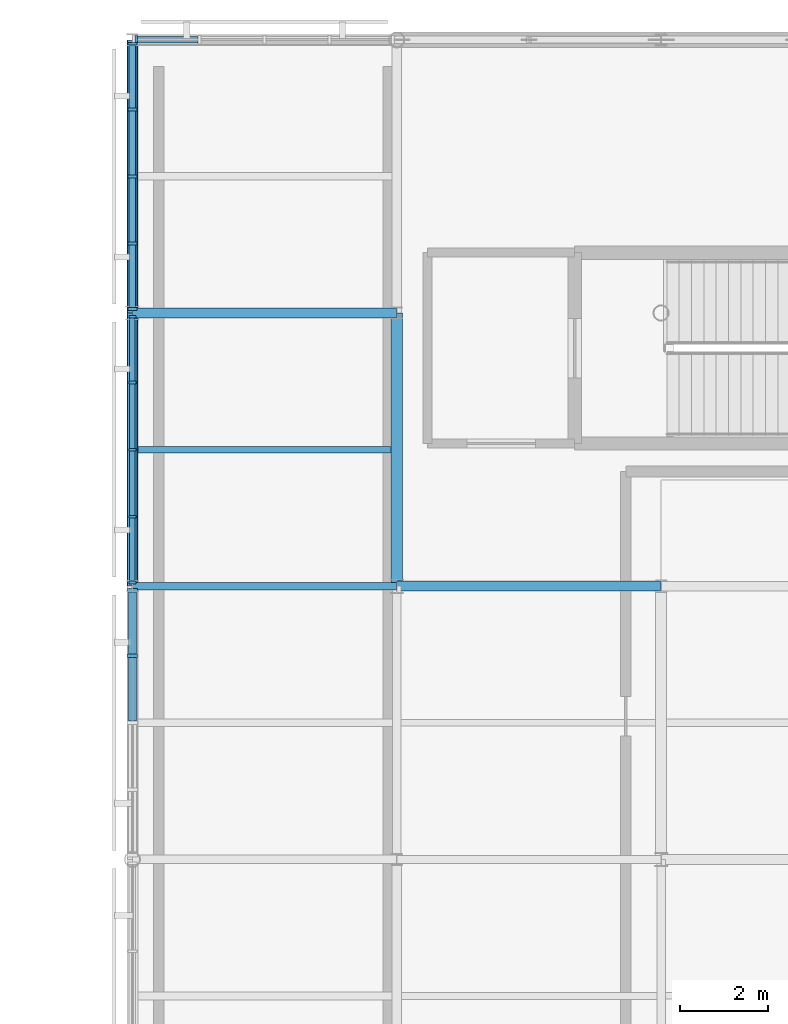
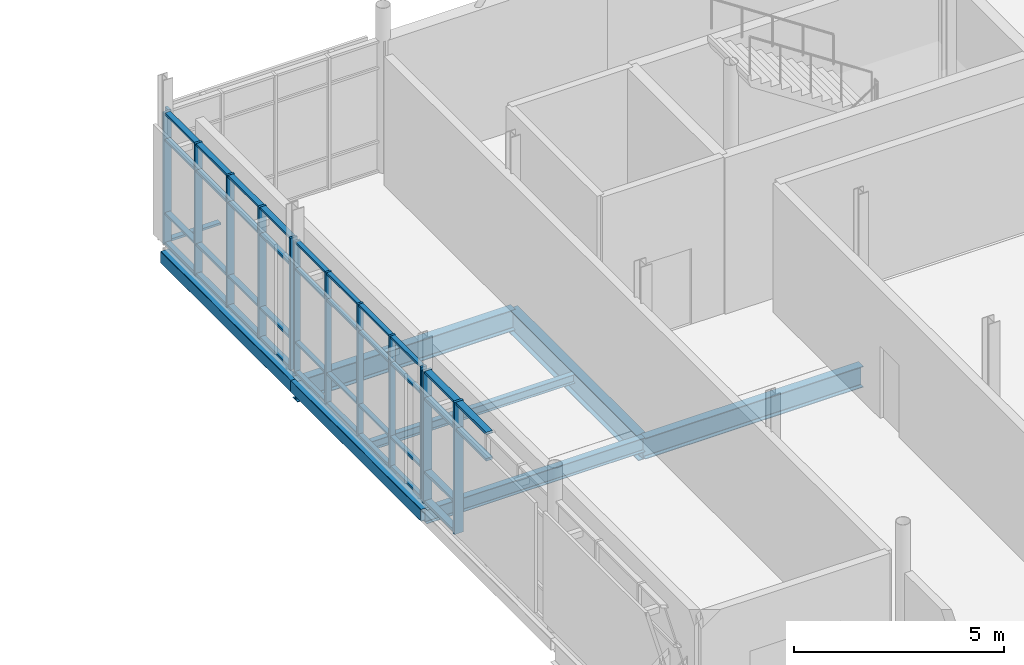
# One storey, part 32 of 66: 52 members, 7 beams, 4 elements without a shape of their own.
"""IFC4 building model written with IfcOpenShell, lengths in metres."""

from ifc_helpers import new_model, si_unit, direction, frame, origin, origin_2d, place, context, subcontext, project, spatial, rectangle, hollow_rectangle, i_section, extrude, material, layer, layer_set, material_profile, profile_set, type_object, element, aggregate, save


model = new_model("IFC4")

# Units and contexts
model_context = context("Model", 3, precision=1e-05, world=origin(), true_north=direction((0.0, 1.0)))
body_context = subcontext(model_context, "Body", "Model", "MODEL_VIEW")
ifc_project = project(units=[si_unit("LENGTHUNIT", "METRE"), si_unit("AREAUNIT", "SQUARE_METRE"), si_unit("VOLUMEUNIT", "CUBIC_METRE"), si_unit("PLANEANGLEUNIT", "RADIAN"), si_unit("MASSUNIT", "GRAM", prefix="KILO")], contexts=[model_context])

# Site, building, storey
site_placement = place(None, origin())
site = spatial("IfcSite", under=ifc_project, at=site_placement, CompositionType="ELEMENT")
building_placement = place(site_placement, origin())
building = spatial("IfcBuilding", under=site, at=building_placement, Name="Mirzam Square Science Centre", CompositionType="ELEMENT")
storey_placement = place(building_placement, frame((0.0, 0.0, 15.60009765625)))
storey = spatial("IfcBuildingStorey", under=building, at=storey_placement, Name="L03", CompositionType="ELEMENT", Elevation=15.60009765625)

# Beams
ifc_material_1 = material(Name="Steel S355", Category="steel")
ifc_material_profile_1 = material_profile(ifc_material_1, i_section(OverallWidth=0.1787109375, OverallDepth=0.409423828125, WebThickness=0.0087890625, FlangeThickness=0.014404296875, FilletRadius=0.01025390625, at=origin_2d()), Name="406x178x67UB")
ifc_profile_set_1 = profile_set([ifc_material_profile_1], Name="Steel S355")
beam_type_1 = type_object("IfcBeamType", Name="BM-UB406", PredefinedType="BEAM", material=ifc_profile_set_1)
beam_1_placement = place(storey_placement, frame((114.0, 99.199951171875, -0.454833984375), z_axis=(1.0, 0.0, 0.0), x_axis=(0.0, 1.0, 0.0)))
element("IfcBeam", 1, at=beam_1_placement, inside=storey, type_object=beam_type_1, Name="L03 girder X20-17", PredefinedType="BEAM", context=body_context, shape_type="SweptSolid", body=[
    extrude(i_section(OverallWidth=0.1787109375, OverallDepth=0.409423828125, WebThickness=0.0087890625, FlangeThickness=0.014404296875, FilletRadius=0.01025390625, at=origin_2d()), origin(), (0.0, 0.0, 1.0), 6.0),
])
ifc_material_profile_2 = material_profile(ifc_material_1, i_section(OverallWidth=0.22900390625, OverallDepth=0.6123046875, WebThickness=0.011962890625, FlangeThickness=0.01953125, FilletRadius=0.0126953125, at=origin_2d()), Name="610x229x125UB")
ifc_profile_set_2 = profile_set([ifc_material_profile_2], Name="Steel S355")
beam_type_2 = type_object("IfcBeamType", Name="BM-UB610", PredefinedType="BEAM", material=ifc_profile_set_2)
for number, where, z_axis, x_axis, name in (
    (2, (120.0, 99.199951171875, -0.55615234375), (1.0, 0.0, 0.0), (0.0, 1.0, 0.0), "L03 girder X21-17"),
    (3, (114.0, 105.39990234375, -0.55615234375), (1.0, 0.0, 0.0), (0.0, 1.0, 0.0), "L03 girder X20-18"),
):
    element("IfcBeam", number, at=place(storey_placement, frame(where, z_axis=z_axis, x_axis=x_axis)), inside=storey, type_object=beam_type_2, Name=name, PredefinedType="BEAM", context=body_context, shape_type="SweptSolid", body=[
        extrude(i_section(OverallWidth=0.22900390625, OverallDepth=0.6123046875, WebThickness=0.011962890625, FlangeThickness=0.01953125, FilletRadius=0.0126953125, at=origin_2d()), origin(), (0.0, 0.0, 1.0), 6.0),
    ])
ifc_material_profile_3 = material_profile(ifc_material_1, i_section(OverallWidth=0.25439453125, OverallDepth=0.6875, WebThickness=0.01318359375, FlangeThickness=0.02099609375, FilletRadius=0.01513671875, at=origin_2d()), Name="686x254x152UB")
ifc_profile_set_3 = profile_set([ifc_material_profile_3], Name="Steel S355")
beam_type_3 = type_object("IfcBeamType", Name="BM-UB686", PredefinedType="BEAM", material=ifc_profile_set_3)
beam_2_placement = place(storey_placement, frame((120.0, 99.199951171875, -0.593994140625), z_axis=(0.0, 1.0, 0.0), x_axis=(-1.0, 0.0, 0.0)))
element("IfcBeam", 4, at=beam_2_placement, inside=storey, type_object=beam_type_3, Name="L03 girder Y21-17", PredefinedType="BEAM", context=body_context, shape_type="SweptSolid", body=[
    extrude(i_section(OverallWidth=0.25439453125, OverallDepth=0.6875, WebThickness=0.01318359375, FlangeThickness=0.02099609375, FilletRadius=0.01513671875, at=origin_2d()), origin(), (0.0, 0.0, 1.0), 6.199951171875),
])

# Curtain wall, members
ifc_material_2 = material(Name="Anodised Aluminium and Low-E Solar Glass", Category="aluminium")
ifc_layer_1 = layer(ifc_material_2, 0.159912109375)
ifc_layer_set_1 = layer_set([ifc_layer_1], Name="CW-COURT-B")
curtain_wall_type_1 = type_object("IfcCurtainWallType", Name="CW-COURT-B", PredefinedType="USERDEFINED", material=ifc_layer_set_1)
curtain_wall_1_placement = place(storey_placement, origin())
curtain_wall_1 = element("IfcCurtainWall", 5, at=curtain_wall_1_placement, inside=storey, type_object=curtain_wall_type_1, Name="L03 unitised curtain wall 142", ObjectType="UNITISED CURTAIN WALL", PredefinedType="USERDEFINED")
ifc_material_3 = material(Name="Anodised Architectural Aluminium 6063-T6", Category="aluminium")
ifc_material_profile_4 = material_profile(ifc_material_3, rectangle(XDim=0.06005859375, YDim=0.159912109375, at=origin_2d()), Name="ALU-MULL-160x60x4")
ifc_profile_set_4 = profile_set([ifc_material_profile_4], Name="Anodised Architectural Aluminium 6063-T6")
member_type_1 = type_object("IfcMemberType", Name="CWM-160", PredefinedType="MULLION", material=ifc_profile_set_4)
member_1_placement = place(storey_placement, frame((114.0, 105.31494140625, 0.0), z_axis=(0.0, 0.0, 1.0), x_axis=(0.0, -1.0, 0.0)))
member_1 = element("IfcMember", 6, at=member_1_placement, type_object=member_type_1, Name="CW-04 mullion 1", PredefinedType="MULLION", context=body_context, shape_type="SweptSolid", body=[
    extrude(rectangle(XDim=0.06005859375, YDim=0.159912109375, at=origin_2d()), origin(), (0.0, 0.0, 1.0), 3.83984375),
])
member_2_placement = place(storey_placement, frame((114.0, 103.822509765625, 0.0), z_axis=(0.0, 0.0, 1.0), x_axis=(0.0, -1.0, 0.0)))
member_2 = element("IfcMember", 7, at=member_2_placement, type_object=member_type_1, Name="CW-04 mullion 2", PredefinedType="MULLION", context=body_context, shape_type="SweptSolid", body=[
    extrude(rectangle(XDim=0.06005859375, YDim=0.159912109375, at=origin_2d()), origin(), (0.0, 0.0, 1.0), 3.83984375),
])
member_3_placement = place(storey_placement, frame((114.0, 102.300048828125, 0.0), z_axis=(0.0, 0.0, 1.0), x_axis=(0.0, -1.0, 0.0)))
member_3 = element("IfcMember", 8, at=member_3_placement, type_object=member_type_1, Name="CW-04 mullion 3", PredefinedType="MULLION", context=body_context, shape_type="SweptSolid", body=[
    extrude(rectangle(XDim=0.06005859375, YDim=0.159912109375, at=origin_2d()), origin(), (0.0, 0.0, 1.0), 3.83984375),
])
member_4_placement = place(storey_placement, frame((114.0, 100.777587890625, 0.0), z_axis=(0.0, 0.0, 1.0), x_axis=(0.0, -1.0, 0.0)))
member_4 = element("IfcMember", 9, at=member_4_placement, type_object=member_type_1, Name="CW-04 mullion 4", PredefinedType="MULLION", context=body_context, shape_type="SweptSolid", body=[
    extrude(rectangle(XDim=0.06005859375, YDim=0.159912109375, at=origin_2d()), origin(), (0.0, 0.0, 1.0), 3.83984375),
])
member_5_placement = place(storey_placement, frame((114.0, 99.284912109375, 0.0), z_axis=(0.0, 0.0, 1.0), x_axis=(0.0, -1.0, 0.0)))
member_5 = element("IfcMember", 10, at=member_5_placement, type_object=member_type_1, Name="CW-04 mullion 5", PredefinedType="MULLION", context=body_context, shape_type="SweptSolid", body=[
    extrude(rectangle(XDim=0.06005859375, YDim=0.159912109375, at=origin_2d()), origin(), (0.0, 0.0, 1.0), 3.83984375),
])

# Curtain wall, member
curtain_wall_2_placement = place(storey_placement, origin())
curtain_wall_2 = element("IfcCurtainWall", 11, at=curtain_wall_2_placement, inside=storey, type_object=curtain_wall_type_1, Name="L03 unitised curtain wall 136", ObjectType="UNITISED CURTAIN WALL", PredefinedType="USERDEFINED")
ifc_material_profile_5 = material_profile(ifc_material_3, rectangle(XDim=0.06494140625, YDim=0.199951171875, at=origin_2d()), Name="ALU-MULL-200x65x5")
ifc_profile_set_5 = profile_set([ifc_material_profile_5], Name="Anodised Architectural Aluminium 6063-T6")
member_type_2 = type_object("IfcMemberType", Name="CWM-200", PredefinedType="MULLION", material=ifc_profile_set_5)
member_6_placement = place(storey_placement, frame((114.08740234375, 111.60009765625, 0.0), z_axis=(0.0, 0.0, 1.0), x_axis=(-1.0, 0.0, 0.0)))
member_6 = element("IfcMember", 12, at=member_6_placement, type_object=member_type_2, Name="CW-04 mullion 5", PredefinedType="MULLION", context=body_context, shape_type="SweptSolid", body=[
    extrude(rectangle(XDim=0.06494140625, YDim=0.199951171875, at=origin_2d()), origin(), (0.0, 0.0, 1.0), 3.83984375),
])

# Curtain wall, members
ifc_layer_2 = layer(ifc_material_2, 0.199951171875)
ifc_layer_set_2 = layer_set([ifc_layer_2], Name="CW-EAST-A")
curtain_wall_type_2 = type_object("IfcCurtainWallType", Name="CW-EAST-A", PredefinedType="USERDEFINED", material=ifc_layer_set_2)
curtain_wall_3_placement = place(storey_placement, origin())
curtain_wall_3 = element("IfcCurtainWall", 13, at=curtain_wall_3_placement, inside=storey, type_object=curtain_wall_type_2, Name="L03 unitised curtain wall 144", ObjectType="UNITISED CURTAIN WALL", PredefinedType="USERDEFINED")
member_7_placement = place(storey_placement, frame((114.0, 111.512451171875, 0.0), z_axis=(0.0, 0.0, 1.0), x_axis=(0.0, -1.0, 0.0)))
member_7 = element("IfcMember", 14, at=member_7_placement, type_object=member_type_2, Name="CW-05 mullion 1", PredefinedType="MULLION", context=body_context, shape_type="SweptSolid", body=[
    extrude(rectangle(XDim=0.06494140625, YDim=0.199951171875, at=origin_2d()), origin(), (0.0, 0.0, 1.0), 3.83984375),
])
member_8_placement = place(storey_placement, frame((114.0, 110.0224609375, 0.0), z_axis=(0.0, 0.0, 1.0), x_axis=(0.0, -1.0, 0.0)))
member_8 = element("IfcMember", 15, at=member_8_placement, type_object=member_type_2, Name="CW-05 mullion 2", PredefinedType="MULLION", context=body_context, shape_type="SweptSolid", body=[
    extrude(rectangle(XDim=0.06494140625, YDim=0.199951171875, at=origin_2d()), origin(), (0.0, 0.0, 1.0), 3.83984375),
])
member_9_placement = place(storey_placement, frame((114.0, 108.5, 0.0), z_axis=(0.0, 0.0, 1.0), x_axis=(0.0, -1.0, 0.0)))
member_9 = element("IfcMember", 16, at=member_9_placement, type_object=member_type_2, Name="CW-05 mullion 3", PredefinedType="MULLION", context=body_context, shape_type="SweptSolid", body=[
    extrude(rectangle(XDim=0.06494140625, YDim=0.199951171875, at=origin_2d()), origin(), (0.0, 0.0, 1.0), 3.83984375),
])
member_10_placement = place(storey_placement, frame((114.0, 106.9775390625, 0.0), z_axis=(0.0, 0.0, 1.0), x_axis=(0.0, -1.0, 0.0)))
member_10 = element("IfcMember", 17, at=member_10_placement, type_object=member_type_2, Name="CW-05 mullion 4", PredefinedType="MULLION", context=body_context, shape_type="SweptSolid", body=[
    extrude(rectangle(XDim=0.06494140625, YDim=0.199951171875, at=origin_2d()), origin(), (0.0, 0.0, 1.0), 3.83984375),
])
member_11_placement = place(storey_placement, frame((114.0, 105.487548828125, 0.0), z_axis=(0.0, 0.0, 1.0), x_axis=(0.0, -1.0, 0.0)))
member_11 = element("IfcMember", 18, at=member_11_placement, type_object=member_type_2, Name="CW-05 mullion 5", PredefinedType="MULLION", context=body_context, shape_type="SweptSolid", body=[
    extrude(rectangle(XDim=0.06494140625, YDim=0.199951171875, at=origin_2d()), origin(), (0.0, 0.0, 1.0), 3.83984375),
])

ifc_layer_3 = layer(ifc_material_2, 0.159912109375)
ifc_layer_set_3 = layer_set([ifc_layer_3], Name="CW-COURT-A")
curtain_wall_type_3 = type_object("IfcCurtainWallType", Name="CW-COURT-A", PredefinedType="USERDEFINED", material=ifc_layer_set_3)
curtain_wall_4_placement = place(storey_placement, origin())
curtain_wall_4 = element("IfcCurtainWall", 19, at=curtain_wall_4_placement, inside=storey, type_object=curtain_wall_type_3, Name="L03 unitised curtain wall 140", ObjectType="UNITISED CURTAIN WALL", PredefinedType="USERDEFINED")
ifc_material_profile_6 = material_profile(ifc_material_3, rectangle(XDim=0.074951171875, YDim=0.239990234375, at=origin_2d()), Name="ALU-MULL-240x75x5")
ifc_profile_set_6 = profile_set([ifc_material_profile_6], Name="Anodised Architectural Aluminium 6063-T6")
member_type_3 = type_object("IfcMemberType", Name="CWM-240", PredefinedType="MULLION", material=ifc_profile_set_6)
member_12_placement = place(storey_placement, frame((114.0, 99.107421875, 0.0), z_axis=(0.0, 0.0, 1.0), x_axis=(0.0, -1.0, 0.0)))
member_12 = element("IfcMember", 20, at=member_12_placement, type_object=member_type_3, Name="CW-03 mullion 1", PredefinedType="MULLION", context=body_context, shape_type="SweptSolid", body=[
    extrude(rectangle(XDim=0.074951171875, YDim=0.239990234375, at=origin_2d()), origin(), (0.0, 0.0, 1.0), 3.83984375),
])
member_13_placement = place(storey_placement, frame((114.0, 97.62255859375, 0.0), z_axis=(0.0, 0.0, 1.0), x_axis=(0.0, -1.0, 0.0)))
member_13 = element("IfcMember", 21, at=member_13_placement, type_object=member_type_3, Name="CW-03 mullion 2", PredefinedType="MULLION", context=body_context, shape_type="SweptSolid", body=[
    extrude(rectangle(XDim=0.074951171875, YDim=0.239990234375, at=origin_2d()), origin(), (0.0, 0.0, 1.0), 3.83984375),
])

# Member
ifc_material_profile_7 = material_profile(ifc_material_3, rectangle(XDim=0.1201171875, YDim=0.06005859375, at=origin_2d()), Name="ALU-TRAN-120x60x4")
ifc_profile_set_7 = profile_set([ifc_material_profile_7], Name="Anodised Architectural Aluminium 6063-T6")
member_type_4 = type_object("IfcMemberType", Name="CWT-120", PredefinedType="USERDEFINED", material=ifc_profile_set_7)
member_14_placement = place(storey_placement, frame((114.0, 105.284912109375, 0.02978515625), z_axis=(0.0, -1.0, 0.0), x_axis=(1.0, 0.0, 0.0)))
member_14 = element("IfcMember", 22, at=member_14_placement, type_object=member_type_4, Name="CW-04 transom 1.1", ObjectType="TRANSOM", PredefinedType="USERDEFINED", context=body_context, shape_type="SweptSolid", body=[
    extrude(rectangle(XDim=0.1201171875, YDim=0.06005859375, at=origin_2d()), origin(), (0.0, 0.0, 1.0), 1.432373046875),
])

member_15_placement = place(storey_placement, frame((114.0, 105.284912109375, 0.89990234375), z_axis=(0.0, -1.0, 0.0), x_axis=(1.0, 0.0, 0.0)))
member_15 = element("IfcMember", 23, at=member_15_placement, type_object=member_type_4, Name="CW-04 transom 1.2", ObjectType="TRANSOM", PredefinedType="USERDEFINED", context=body_context, shape_type="SweptSolid", body=[
    extrude(rectangle(XDim=0.1201171875, YDim=0.06005859375, at=origin_2d()), origin(), (0.0, 0.0, 1.0), 1.432373046875),
])

member_16_placement = place(storey_placement, frame((114.0, 105.284912109375, 3.039794921875), z_axis=(0.0, -1.0, 0.0), x_axis=(1.0, 0.0, 0.0)))
member_16 = element("IfcMember", 24, at=member_16_placement, type_object=member_type_4, Name="CW-04 transom 1.3", ObjectType="TRANSOM", PredefinedType="USERDEFINED", context=body_context, shape_type="SweptSolid", body=[
    extrude(rectangle(XDim=0.1201171875, YDim=0.06005859375, at=origin_2d()), origin(), (0.0, 0.0, 1.0), 1.432373046875),
])

member_17_placement = place(storey_placement, frame((114.0, 105.284912109375, 3.809814453125), z_axis=(0.0, -1.0, 0.0), x_axis=(1.0, 0.0, 0.0)))
member_17 = element("IfcMember", 25, at=member_17_placement, type_object=member_type_4, Name="CW-04 transom 1.4", ObjectType="TRANSOM", PredefinedType="USERDEFINED", context=body_context, shape_type="SweptSolid", body=[
    extrude(rectangle(XDim=0.1201171875, YDim=0.06005859375, at=origin_2d()), origin(), (0.0, 0.0, 1.0), 1.432373046875),
])

member_18_placement = place(storey_placement, frame((114.0, 103.79248046875, 0.02978515625), z_axis=(0.0, -1.0, 0.0), x_axis=(1.0, 0.0, 0.0)))
member_18 = element("IfcMember", 26, at=member_18_placement, type_object=member_type_4, Name="CW-04 transom 2.1", ObjectType="TRANSOM", PredefinedType="USERDEFINED", context=body_context, shape_type="SweptSolid", body=[
    extrude(rectangle(XDim=0.1201171875, YDim=0.06005859375, at=origin_2d()), origin(), (0.0, 0.0, 1.0), 1.46240234375),
])

member_19_placement = place(storey_placement, frame((114.0, 103.79248046875, 0.89990234375), z_axis=(0.0, -1.0, 0.0), x_axis=(1.0, 0.0, 0.0)))
member_19 = element("IfcMember", 27, at=member_19_placement, type_object=member_type_4, Name="CW-04 transom 2.2", ObjectType="TRANSOM", PredefinedType="USERDEFINED", context=body_context, shape_type="SweptSolid", body=[
    extrude(rectangle(XDim=0.1201171875, YDim=0.06005859375, at=origin_2d()), origin(), (0.0, 0.0, 1.0), 1.46240234375),
])

member_20_placement = place(storey_placement, frame((114.0, 103.79248046875, 3.039794921875), z_axis=(0.0, -1.0, 0.0), x_axis=(1.0, 0.0, 0.0)))
member_20 = element("IfcMember", 28, at=member_20_placement, type_object=member_type_4, Name="CW-04 transom 2.3", ObjectType="TRANSOM", PredefinedType="USERDEFINED", context=body_context, shape_type="SweptSolid", body=[
    extrude(rectangle(XDim=0.1201171875, YDim=0.06005859375, at=origin_2d()), origin(), (0.0, 0.0, 1.0), 1.46240234375),
])

member_21_placement = place(storey_placement, frame((114.0, 103.79248046875, 3.809814453125), z_axis=(0.0, -1.0, 0.0), x_axis=(1.0, 0.0, 0.0)))
member_21 = element("IfcMember", 29, at=member_21_placement, type_object=member_type_4, Name="CW-04 transom 2.4", ObjectType="TRANSOM", PredefinedType="USERDEFINED", context=body_context, shape_type="SweptSolid", body=[
    extrude(rectangle(XDim=0.1201171875, YDim=0.06005859375, at=origin_2d()), origin(), (0.0, 0.0, 1.0), 1.46240234375),
])

member_22_placement = place(storey_placement, frame((114.0, 102.27001953125, 0.02978515625), z_axis=(0.0, -1.0, 0.0), x_axis=(1.0, 0.0, 0.0)))
member_22 = element("IfcMember", 30, at=member_22_placement, type_object=member_type_4, Name="CW-04 transom 3.1", ObjectType="TRANSOM", PredefinedType="USERDEFINED", context=body_context, shape_type="SweptSolid", body=[
    extrude(rectangle(XDim=0.1201171875, YDim=0.06005859375, at=origin_2d()), origin(), (0.0, 0.0, 1.0), 1.46240234375),
])

member_23_placement = place(storey_placement, frame((114.0, 102.27001953125, 0.89990234375), z_axis=(0.0, -1.0, 0.0), x_axis=(1.0, 0.0, 0.0)))
member_23 = element("IfcMember", 31, at=member_23_placement, type_object=member_type_4, Name="CW-04 transom 3.2", ObjectType="TRANSOM", PredefinedType="USERDEFINED", context=body_context, shape_type="SweptSolid", body=[
    extrude(rectangle(XDim=0.1201171875, YDim=0.06005859375, at=origin_2d()), origin(), (0.0, 0.0, 1.0), 1.46240234375),
])

member_24_placement = place(storey_placement, frame((114.0, 102.27001953125, 3.039794921875), z_axis=(0.0, -1.0, 0.0), x_axis=(1.0, 0.0, 0.0)))
member_24 = element("IfcMember", 32, at=member_24_placement, type_object=member_type_4, Name="CW-04 transom 3.3", ObjectType="TRANSOM", PredefinedType="USERDEFINED", context=body_context, shape_type="SweptSolid", body=[
    extrude(rectangle(XDim=0.1201171875, YDim=0.06005859375, at=origin_2d()), origin(), (0.0, 0.0, 1.0), 1.46240234375),
])

member_25_placement = place(storey_placement, frame((114.0, 102.27001953125, 3.809814453125), z_axis=(0.0, -1.0, 0.0), x_axis=(1.0, 0.0, 0.0)))
member_25 = element("IfcMember", 33, at=member_25_placement, type_object=member_type_4, Name="CW-04 transom 3.4", ObjectType="TRANSOM", PredefinedType="USERDEFINED", context=body_context, shape_type="SweptSolid", body=[
    extrude(rectangle(XDim=0.1201171875, YDim=0.06005859375, at=origin_2d()), origin(), (0.0, 0.0, 1.0), 1.46240234375),
])

member_26_placement = place(storey_placement, frame((114.0, 100.74755859375, 0.02978515625), z_axis=(0.0, -1.0, 0.0), x_axis=(1.0, 0.0, 0.0)))
member_26 = element("IfcMember", 34, at=member_26_placement, type_object=member_type_4, Name="CW-04 transom 4.1", ObjectType="TRANSOM", PredefinedType="USERDEFINED", context=body_context, shape_type="SweptSolid", body=[
    extrude(rectangle(XDim=0.1201171875, YDim=0.06005859375, at=origin_2d()), origin(), (0.0, 0.0, 1.0), 1.4326171875),
])

member_27_placement = place(storey_placement, frame((114.0, 100.74755859375, 0.89990234375), z_axis=(0.0, -1.0, 0.0), x_axis=(1.0, 0.0, 0.0)))
member_27 = element("IfcMember", 35, at=member_27_placement, type_object=member_type_4, Name="CW-04 transom 4.2", ObjectType="TRANSOM", PredefinedType="USERDEFINED", context=body_context, shape_type="SweptSolid", body=[
    extrude(rectangle(XDim=0.1201171875, YDim=0.06005859375, at=origin_2d()), origin(), (0.0, 0.0, 1.0), 1.4326171875),
])

member_28_placement = place(storey_placement, frame((114.0, 100.74755859375, 3.039794921875), z_axis=(0.0, -1.0, 0.0), x_axis=(1.0, 0.0, 0.0)))
member_28 = element("IfcMember", 36, at=member_28_placement, type_object=member_type_4, Name="CW-04 transom 4.3", ObjectType="TRANSOM", PredefinedType="USERDEFINED", context=body_context, shape_type="SweptSolid", body=[
    extrude(rectangle(XDim=0.1201171875, YDim=0.06005859375, at=origin_2d()), origin(), (0.0, 0.0, 1.0), 1.4326171875),
])

member_29_placement = place(storey_placement, frame((114.0, 100.74755859375, 3.809814453125), z_axis=(0.0, -1.0, 0.0), x_axis=(1.0, 0.0, 0.0)))
member_29 = element("IfcMember", 37, at=member_29_placement, type_object=member_type_4, Name="CW-04 transom 4.4", ObjectType="TRANSOM", PredefinedType="USERDEFINED", context=body_context, shape_type="SweptSolid", body=[
    extrude(rectangle(XDim=0.1201171875, YDim=0.06005859375, at=origin_2d()), origin(), (0.0, 0.0, 1.0), 1.4326171875),
])

aggregate(curtain_wall_1, [member_1, member_2, member_3, member_4, member_5, member_14, member_15, member_16, member_17, member_18, member_19, member_20, member_21, member_22, member_23, member_24, member_25, member_26, member_27, member_28, member_29])

ifc_material_profile_8 = material_profile(ifc_material_3, rectangle(XDim=0.14990234375, YDim=0.06494140625, at=origin_2d()), Name="ALU-TRAN-150x65x4")
ifc_profile_set_8 = profile_set([ifc_material_profile_8], Name="Anodised Architectural Aluminium 6063-T6")
member_type_5 = type_object("IfcMemberType", Name="CWT-150", PredefinedType="USERDEFINED", material=ifc_profile_set_8)
member_30_placement = place(storey_placement, frame((115.4951171875, 111.60009765625, 0.032470703125), z_axis=(-1.0, 0.0, 0.0), x_axis=(0.0, -1.0, 0.0)))
member_30 = element("IfcMember", 38, at=member_30_placement, type_object=member_type_5, Name="CW-04 transom 4.1", ObjectType="TRANSOM", PredefinedType="USERDEFINED", context=body_context, shape_type="SweptSolid", body=[
    extrude(rectangle(XDim=0.14990234375, YDim=0.06494140625, at=origin_2d()), origin(), (0.0, 0.0, 1.0), 1.375),
])

aggregate(curtain_wall_2, [member_6, member_30])

member_31_placement = place(storey_placement, frame((114.0, 111.47998046875, 0.032470703125), z_axis=(0.0, -1.0, 0.0), x_axis=(1.0, 0.0, 0.0)))
member_31 = element("IfcMember", 39, at=member_31_placement, type_object=member_type_5, Name="CW-05 transom 1.1", ObjectType="TRANSOM", PredefinedType="USERDEFINED", context=body_context, shape_type="SweptSolid", body=[
    extrude(rectangle(XDim=0.14990234375, YDim=0.06494140625, at=origin_2d()), origin(), (0.0, 0.0, 1.0), 1.425048828125),
])

member_32_placement = place(storey_placement, frame((114.0, 111.47998046875, 0.89990234375), z_axis=(0.0, -1.0, 0.0), x_axis=(1.0, 0.0, 0.0)))
member_32 = element("IfcMember", 40, at=member_32_placement, type_object=member_type_5, Name="CW-05 transom 1.2", ObjectType="TRANSOM", PredefinedType="USERDEFINED", context=body_context, shape_type="SweptSolid", body=[
    extrude(rectangle(XDim=0.14990234375, YDim=0.06494140625, at=origin_2d()), origin(), (0.0, 0.0, 1.0), 1.425048828125),
])

member_33_placement = place(storey_placement, frame((114.0, 111.47998046875, 3.039794921875), z_axis=(0.0, -1.0, 0.0), x_axis=(1.0, 0.0, 0.0)))
member_33 = element("IfcMember", 41, at=member_33_placement, type_object=member_type_5, Name="CW-05 transom 1.3", ObjectType="TRANSOM", PredefinedType="USERDEFINED", context=body_context, shape_type="SweptSolid", body=[
    extrude(rectangle(XDim=0.14990234375, YDim=0.06494140625, at=origin_2d()), origin(), (0.0, 0.0, 1.0), 1.425048828125),
])

member_34_placement = place(storey_placement, frame((114.0, 111.47998046875, 3.807373046875), z_axis=(0.0, -1.0, 0.0), x_axis=(1.0, 0.0, 0.0)))
member_34 = element("IfcMember", 42, at=member_34_placement, type_object=member_type_5, Name="CW-05 transom 1.4", ObjectType="TRANSOM", PredefinedType="USERDEFINED", context=body_context, shape_type="SweptSolid", body=[
    extrude(rectangle(XDim=0.14990234375, YDim=0.06494140625, at=origin_2d()), origin(), (0.0, 0.0, 1.0), 1.425048828125),
])

member_35_placement = place(storey_placement, frame((114.0, 109.989990234375, 0.032470703125), z_axis=(0.0, -1.0, 0.0), x_axis=(1.0, 0.0, 0.0)))
member_35 = element("IfcMember", 43, at=member_35_placement, type_object=member_type_5, Name="CW-05 transom 2.1", ObjectType="TRANSOM", PredefinedType="USERDEFINED", context=body_context, shape_type="SweptSolid", body=[
    extrude(rectangle(XDim=0.14990234375, YDim=0.06494140625, at=origin_2d()), origin(), (0.0, 0.0, 1.0), 1.45751953125),
])

member_36_placement = place(storey_placement, frame((114.0, 109.989990234375, 0.89990234375), z_axis=(0.0, -1.0, 0.0), x_axis=(1.0, 0.0, 0.0)))
member_36 = element("IfcMember", 44, at=member_36_placement, type_object=member_type_5, Name="CW-05 transom 2.2", ObjectType="TRANSOM", PredefinedType="USERDEFINED", context=body_context, shape_type="SweptSolid", body=[
    extrude(rectangle(XDim=0.14990234375, YDim=0.06494140625, at=origin_2d()), origin(), (0.0, 0.0, 1.0), 1.45751953125),
])

member_37_placement = place(storey_placement, frame((114.0, 109.989990234375, 3.039794921875), z_axis=(0.0, -1.0, 0.0), x_axis=(1.0, 0.0, 0.0)))
member_37 = element("IfcMember", 45, at=member_37_placement, type_object=member_type_5, Name="CW-05 transom 2.3", ObjectType="TRANSOM", PredefinedType="USERDEFINED", context=body_context, shape_type="SweptSolid", body=[
    extrude(rectangle(XDim=0.14990234375, YDim=0.06494140625, at=origin_2d()), origin(), (0.0, 0.0, 1.0), 1.45751953125),
])

member_38_placement = place(storey_placement, frame((114.0, 109.989990234375, 3.807373046875), z_axis=(0.0, -1.0, 0.0), x_axis=(1.0, 0.0, 0.0)))
member_38 = element("IfcMember", 46, at=member_38_placement, type_object=member_type_5, Name="CW-05 transom 2.4", ObjectType="TRANSOM", PredefinedType="USERDEFINED", context=body_context, shape_type="SweptSolid", body=[
    extrude(rectangle(XDim=0.14990234375, YDim=0.06494140625, at=origin_2d()), origin(), (0.0, 0.0, 1.0), 1.45751953125),
])

member_39_placement = place(storey_placement, frame((114.0, 108.467529296875, 0.032470703125), z_axis=(0.0, -1.0, 0.0), x_axis=(1.0, 0.0, 0.0)))
member_39 = element("IfcMember", 47, at=member_39_placement, type_object=member_type_5, Name="CW-05 transom 3.1", ObjectType="TRANSOM", PredefinedType="USERDEFINED", context=body_context, shape_type="SweptSolid", body=[
    extrude(rectangle(XDim=0.14990234375, YDim=0.06494140625, at=origin_2d()), origin(), (0.0, 0.0, 1.0), 1.45751953125),
])

member_40_placement = place(storey_placement, frame((114.0, 108.467529296875, 0.89990234375), z_axis=(0.0, -1.0, 0.0), x_axis=(1.0, 0.0, 0.0)))
member_40 = element("IfcMember", 48, at=member_40_placement, type_object=member_type_5, Name="CW-05 transom 3.2", ObjectType="TRANSOM", PredefinedType="USERDEFINED", context=body_context, shape_type="SweptSolid", body=[
    extrude(rectangle(XDim=0.14990234375, YDim=0.06494140625, at=origin_2d()), origin(), (0.0, 0.0, 1.0), 1.45751953125),
])

member_41_placement = place(storey_placement, frame((114.0, 108.467529296875, 3.039794921875), z_axis=(0.0, -1.0, 0.0), x_axis=(1.0, 0.0, 0.0)))
member_41 = element("IfcMember", 49, at=member_41_placement, type_object=member_type_5, Name="CW-05 transom 3.3", ObjectType="TRANSOM", PredefinedType="USERDEFINED", context=body_context, shape_type="SweptSolid", body=[
    extrude(rectangle(XDim=0.14990234375, YDim=0.06494140625, at=origin_2d()), origin(), (0.0, 0.0, 1.0), 1.45751953125),
])

member_42_placement = place(storey_placement, frame((114.0, 108.467529296875, 3.807373046875), z_axis=(0.0, -1.0, 0.0), x_axis=(1.0, 0.0, 0.0)))
member_42 = element("IfcMember", 50, at=member_42_placement, type_object=member_type_5, Name="CW-05 transom 3.4", ObjectType="TRANSOM", PredefinedType="USERDEFINED", context=body_context, shape_type="SweptSolid", body=[
    extrude(rectangle(XDim=0.14990234375, YDim=0.06494140625, at=origin_2d()), origin(), (0.0, 0.0, 1.0), 1.45751953125),
])

member_43_placement = place(storey_placement, frame((114.0, 106.945068359375, 0.032470703125), z_axis=(0.0, -1.0, 0.0), x_axis=(1.0, 0.0, 0.0)))
member_43 = element("IfcMember", 51, at=member_43_placement, type_object=member_type_5, Name="CW-05 transom 4.1", ObjectType="TRANSOM", PredefinedType="USERDEFINED", context=body_context, shape_type="SweptSolid", body=[
    extrude(rectangle(XDim=0.14990234375, YDim=0.06494140625, at=origin_2d()), origin(), (0.0, 0.0, 1.0), 1.425048828125),
])

member_44_placement = place(storey_placement, frame((114.0, 106.945068359375, 0.89990234375), z_axis=(0.0, -1.0, 0.0), x_axis=(1.0, 0.0, 0.0)))
member_44 = element("IfcMember", 52, at=member_44_placement, type_object=member_type_5, Name="CW-05 transom 4.2", ObjectType="TRANSOM", PredefinedType="USERDEFINED", context=body_context, shape_type="SweptSolid", body=[
    extrude(rectangle(XDim=0.14990234375, YDim=0.06494140625, at=origin_2d()), origin(), (0.0, 0.0, 1.0), 1.425048828125),
])

member_45_placement = place(storey_placement, frame((114.0, 106.945068359375, 3.039794921875), z_axis=(0.0, -1.0, 0.0), x_axis=(1.0, 0.0, 0.0)))
member_45 = element("IfcMember", 53, at=member_45_placement, type_object=member_type_5, Name="CW-05 transom 4.3", ObjectType="TRANSOM", PredefinedType="USERDEFINED", context=body_context, shape_type="SweptSolid", body=[
    extrude(rectangle(XDim=0.14990234375, YDim=0.06494140625, at=origin_2d()), origin(), (0.0, 0.0, 1.0), 1.425048828125),
])

member_46_placement = place(storey_placement, frame((114.0, 106.945068359375, 3.807373046875), z_axis=(0.0, -1.0, 0.0), x_axis=(1.0, 0.0, 0.0)))
member_46 = element("IfcMember", 54, at=member_46_placement, type_object=member_type_5, Name="CW-05 transom 4.4", ObjectType="TRANSOM", PredefinedType="USERDEFINED", context=body_context, shape_type="SweptSolid", body=[
    extrude(rectangle(XDim=0.14990234375, YDim=0.06494140625, at=origin_2d()), origin(), (0.0, 0.0, 1.0), 1.425048828125),
])

aggregate(curtain_wall_3, [member_7, member_8, member_9, member_10, member_11, member_31, member_32, member_33, member_34, member_35, member_36, member_37, member_38, member_39, member_40, member_41, member_42, member_43, member_44, member_45, member_46])

ifc_material_profile_9 = material_profile(ifc_material_3, rectangle(XDim=0.179931640625, YDim=0.074951171875, at=origin_2d()), Name="ALU-TRAN-180x75x5")
ifc_profile_set_9 = profile_set([ifc_material_profile_9], Name="Anodised Architectural Aluminium 6063-T6")
member_type_6 = type_object("IfcMemberType", Name="CWT-180", PredefinedType="USERDEFINED", material=ifc_profile_set_9)
member_47_placement = place(storey_placement, frame((114.0, 99.070068359375, 0.037353515625), z_axis=(0.0, -1.0, 0.0), x_axis=(1.0, 0.0, 0.0)))
member_47 = element("IfcMember", 55, at=member_47_placement, type_object=member_type_6, Name="CW-03 transom 1.1", ObjectType="TRANSOM", PredefinedType="USERDEFINED", context=body_context, shape_type="SweptSolid", body=[
    extrude(rectangle(XDim=0.179931640625, YDim=0.074951171875, at=origin_2d()), origin(), (0.0, 0.0, 1.0), 1.41015625),
])

member_48_placement = place(storey_placement, frame((114.0, 99.070068359375, 0.89990234375), z_axis=(0.0, -1.0, 0.0), x_axis=(1.0, 0.0, 0.0)))
member_48 = element("IfcMember", 56, at=member_48_placement, type_object=member_type_6, Name="CW-03 transom 1.2", ObjectType="TRANSOM", PredefinedType="USERDEFINED", context=body_context, shape_type="SweptSolid", body=[
    extrude(rectangle(XDim=0.179931640625, YDim=0.074951171875, at=origin_2d()), origin(), (0.0, 0.0, 1.0), 1.41015625),
])

member_49_placement = place(storey_placement, frame((114.0, 99.070068359375, 3.039794921875), z_axis=(0.0, -1.0, 0.0), x_axis=(1.0, 0.0, 0.0)))
member_49 = element("IfcMember", 57, at=member_49_placement, type_object=member_type_6, Name="CW-03 transom 1.3", ObjectType="TRANSOM", PredefinedType="USERDEFINED", context=body_context, shape_type="SweptSolid", body=[
    extrude(rectangle(XDim=0.179931640625, YDim=0.074951171875, at=origin_2d()), origin(), (0.0, 0.0, 1.0), 1.41015625),
])

member_50_placement = place(storey_placement, frame((114.0, 99.070068359375, 3.802490234375), z_axis=(0.0, -1.0, 0.0), x_axis=(1.0, 0.0, 0.0)))
member_50 = element("IfcMember", 58, at=member_50_placement, type_object=member_type_6, Name="CW-03 transom 1.4", ObjectType="TRANSOM", PredefinedType="USERDEFINED", context=body_context, shape_type="SweptSolid", body=[
    extrude(rectangle(XDim=0.179931640625, YDim=0.074951171875, at=origin_2d()), origin(), (0.0, 0.0, 1.0), 1.41015625),
])

member_51_placement = place(storey_placement, frame((114.0, 97.5849609375, 3.039794921875), z_axis=(0.0, -1.0, 0.0), x_axis=(1.0, 0.0, 0.0)))
member_51 = element("IfcMember", 59, at=member_51_placement, type_object=member_type_6, Name="CW-03 transom 2.3", ObjectType="TRANSOM", PredefinedType="USERDEFINED", context=body_context, shape_type="SweptSolid", body=[
    extrude(rectangle(XDim=0.179931640625, YDim=0.074951171875, at=origin_2d()), origin(), (0.0, 0.0, 1.0), 1.447509765625),
])

member_52_placement = place(storey_placement, frame((114.0, 97.5849609375, 3.802490234375), z_axis=(0.0, -1.0, 0.0), x_axis=(1.0, 0.0, 0.0)))
member_52 = element("IfcMember", 60, at=member_52_placement, type_object=member_type_6, Name="CW-03 transom 2.4", ObjectType="TRANSOM", PredefinedType="USERDEFINED", context=body_context, shape_type="SweptSolid", body=[
    extrude(rectangle(XDim=0.179931640625, YDim=0.074951171875, at=origin_2d()), origin(), (0.0, 0.0, 1.0), 1.447509765625),
])

aggregate(curtain_wall_4, [member_12, member_13, member_47, member_48, member_49, member_50, member_51, member_52])

# Beams
ifc_material_profile_10 = material_profile(ifc_material_1, i_section(OverallWidth=0.146484375, OverallDepth=0.256103515625, WebThickness=0.00634765625, FlangeThickness=0.010986328125, FilletRadius=0.007568359375, at=origin_2d()), Name="254x146x37UB")
ifc_profile_set_10 = profile_set([ifc_material_profile_10], Name="Steel S355")
beam_type_4 = type_object("IfcBeamType", Name="JS-UB254", PredefinedType="JOIST", material=ifc_profile_set_10)
beam_3_placement = place(storey_placement, frame((114.125, 102.300048828125, -0.378173828125), z_axis=(1.0, 0.0, 0.0), x_axis=(0.0, 1.0, 0.0)))
element("IfcBeam", 61, at=beam_3_placement, inside=storey, type_object=beam_type_4, Name="L03 composite joist 20-17", PredefinedType="JOIST", context=body_context, shape_type="SweptSolid", body=[
    extrude(i_section(OverallWidth=0.146484375, OverallDepth=0.256103515625, WebThickness=0.00634765625, FlangeThickness=0.010986328125, FilletRadius=0.007568359375, at=origin_2d()), origin(), (0.0, 0.0, 1.0), 5.747802734375),
])
ifc_material_profile_11 = material_profile(ifc_material_1, hollow_rectangle(XDim=0.25, YDim=0.35009765625, WallThickness=0.012451171875, InnerFilletRadius=0.012451171875, OuterFilletRadius=0.02490234375, at=origin_2d()), Name="350x250x12.5RHS")
ifc_profile_set_11 = profile_set([ifc_material_profile_11], Name="Steel S355")
beam_type_5 = type_object("IfcBeamType", Name="SP-RHS350", PredefinedType="SPANDREL", material=ifc_profile_set_11)
beam_4_placement = place(storey_placement, frame((114.0, 99.199951171875, -0.425048828125), z_axis=(0.0, 1.0, 0.0), x_axis=(-1.0, 0.0, 0.0)))
element("IfcBeam", 62, at=beam_4_placement, inside=storey, type_object=beam_type_5, Name="L03 girder Y20-17", PredefinedType="SPANDREL", context=body_context, shape_type="SweptSolid", body=[
    extrude(hollow_rectangle(XDim=0.25, YDim=0.35009765625, WallThickness=0.012451171875, InnerFilletRadius=0.012451171875, OuterFilletRadius=0.02490234375, at=origin_2d()), origin(), (0.0, 0.0, 1.0), 6.199951171875),
])
beam_5_placement = place(storey_placement, frame((114.0, 105.39990234375, -0.425048828125), z_axis=(0.0, 1.0, 0.0), x_axis=(-1.0, 0.0, 0.0)))
element("IfcBeam", 63, at=beam_5_placement, inside=storey, type_object=beam_type_5, Name="L03 girder Y20-18", PredefinedType="SPANDREL", context=body_context, shape_type="SweptSolid", body=[
    extrude(hollow_rectangle(XDim=0.25, YDim=0.35009765625, WallThickness=0.012451171875, InnerFilletRadius=0.012451171875, OuterFilletRadius=0.02490234375, at=origin_2d()), origin(), (0.0, 0.0, 1.0), 6.2001953125),
])

save(model, "model.ifc")
